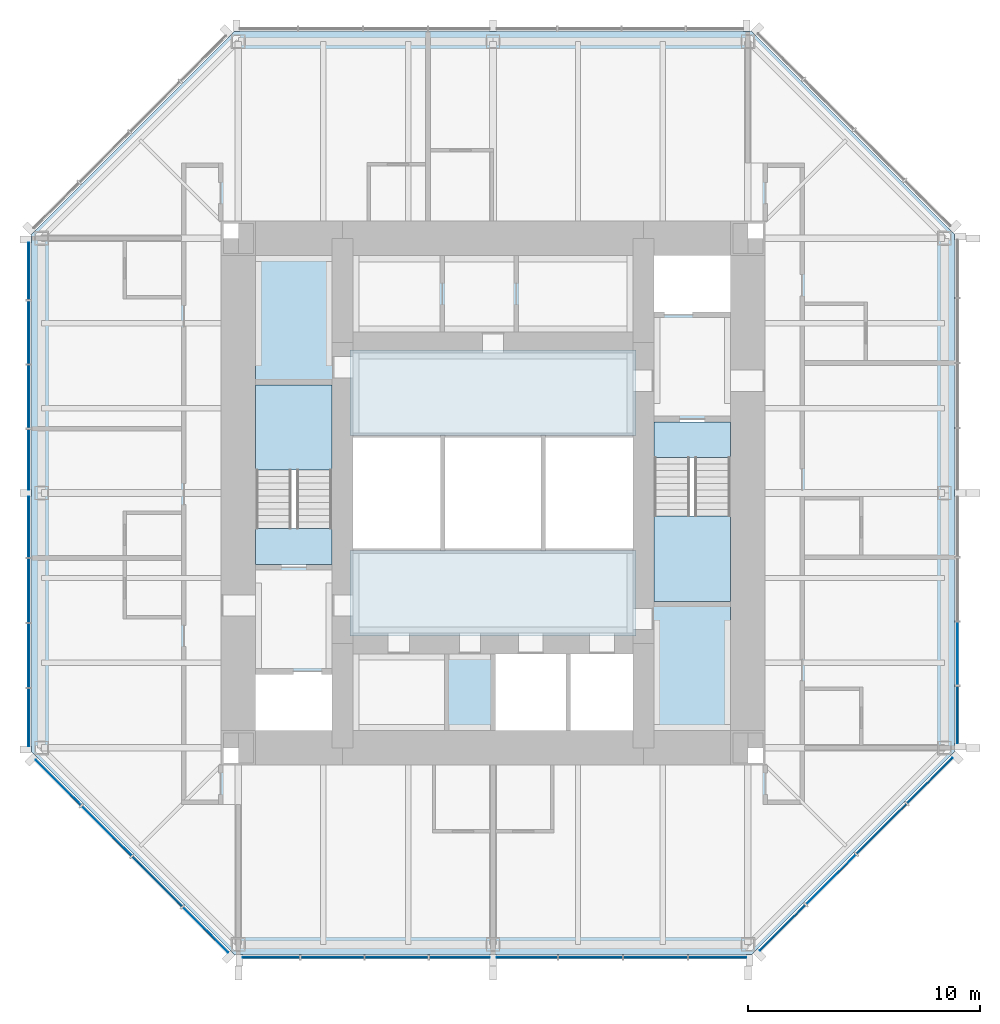
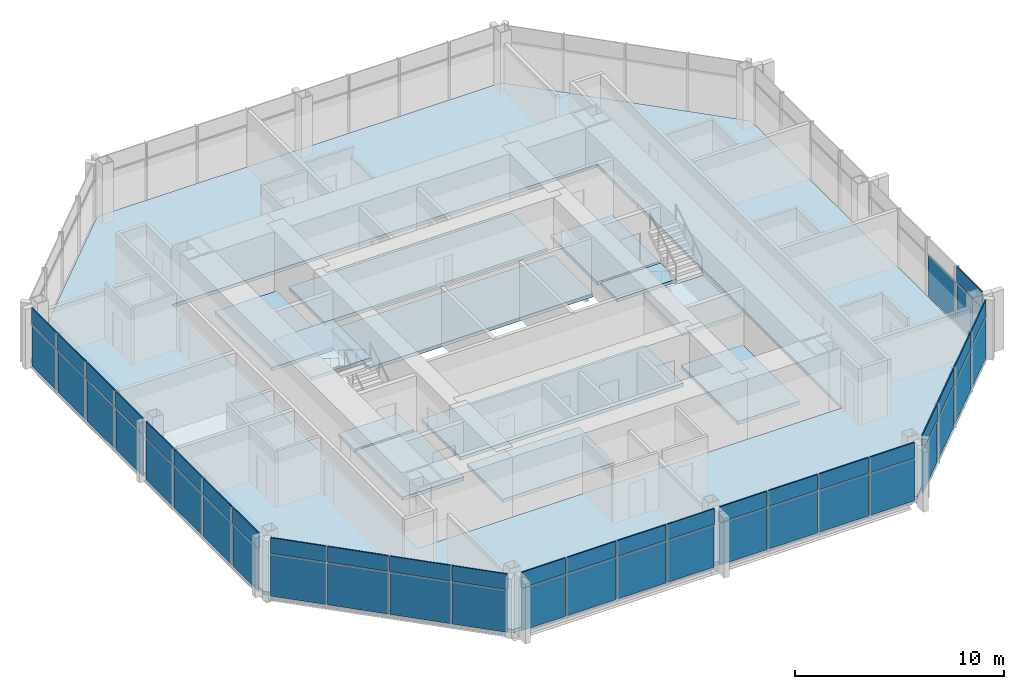
# One storey, part 6 of 11: 51 plates, 13 slabs, 7 elements without a shape of their own.
"""IFC4 building model written with IfcOpenShell, lengths in metres."""

import ifcopenshell
import ifcopenshell.guid

model = None  # the IFC model being written
_history = None  # IfcOwnerHistory: only IFC2X3 demands one
_inside = {}  # id of a spatial element -> (the spatial element, [elements in it])
_under = {}  # id of a project, library or spatial element -> (it, [spatial elements below it])
_declared = {}  # id of a project -> (the project, [libraries it declares])
_typed = {}  # id of a type object -> (the type object, [elements of that type])
_made_of = {}  # id of a material, layer set ... -> (it, [elements and type objects made of it])


def new_model(schema):
    """Start an empty IFC model of exactly this schema.

    Asked for "IFC4X3", IfcOpenShell would pick the latest addendum, in which some entities
    have other attributes; the version numbers below select the first issue.
    IFC2X3 requires an IfcOwnerHistory on every rooted entity: one is made here for all.
    """
    global model, _history
    if schema == "IFC4X3":
        model = ifcopenshell.file(schema_version=(4, 3, 0, 0))
    else:
        model = ifcopenshell.file(schema=schema)
    _inside.clear()
    _under.clear()
    _declared.clear()
    _typed.clear()
    _made_of.clear()
    _history = None
    if model.schema == "IFC2X3":
        org = make("IfcOrganization", Name="unknown")
        user = make(
            "IfcPersonAndOrganization",
            ThePerson=make("IfcPerson", FamilyName="unknown"),
            TheOrganization=org,
        )
        app = make(
            "IfcApplication",
            ApplicationDeveloper=org,
            Version="unknown",
            ApplicationFullName="unknown",
            ApplicationIdentifier="unknown",
        )
        _history = make(
            "IfcOwnerHistory",
            OwningUser=user,
            OwningApplication=app,
            ChangeAction="ADDED",
            CreationDate=0,
        )
    return model


def make(cls, **values):
    """One entity of the class cls with the attributes given. An attribute that is None is left unset."""
    return model.create_entity(
        cls, **{name: value for name, value in values.items() if value is not None}
    )


def rooted(cls, **values):
    """An entity with a GlobalId (a new one), such as an element, a storey or a relation."""
    return make(cls, GlobalId=ifcopenshell.guid.new(), OwnerHistory=_history, **values)


def si_unit(unit_type, name, prefix=None):
    """IfcSIUnit, for example si_unit("LENGTHUNIT", "METRE", prefix="MILLI")."""
    return make("IfcSIUnit", UnitType=unit_type, Prefix=prefix, Name=name)


def assignment(units):
    """IfcUnitAssignment: the units of a project."""
    return None if units is None else make("IfcUnitAssignment", Units=units)


def point(xyz):
    """IfcCartesianPoint."""
    return None if xyz is None else make("IfcCartesianPoint", Coordinates=xyz)


def direction(xyz):
    """IfcDirection."""
    return None if xyz is None else make("IfcDirection", DirectionRatios=xyz)


def frame(location, z_axis=None, x_axis=None):
    """IfcAxis2Placement3D, a coordinate frame: its origin and axes. An axis left out is left unset."""
    return make(
        "IfcAxis2Placement3D",
        Location=point(location),
        Axis=direction(z_axis),
        RefDirection=direction(x_axis),
    )


def frame_2d(location, x_axis=None):
    """IfcAxis2Placement2D, a coordinate frame in the plane: its origin and x axis."""
    return make(
        "IfcAxis2Placement2D", Location=point(location), RefDirection=direction(x_axis)
    )


def origin():
    """The frame at (0, 0, 0) with its axes left unset."""
    return frame((0.0, 0.0, 0.0))


def origin_2d():
    """The frame at (0, 0) in the plane with its x axis left unset."""
    return frame_2d((0.0, 0.0))


def place(relative_to, where):
    """IfcLocalPlacement: puts the frame where relative to a parent placement (None: the world)."""
    return make(
        "IfcLocalPlacement", PlacementRelTo=relative_to, RelativePlacement=where
    )


def context(
    kind, dimensions, precision=None, world=None, true_north=None, identifier=None
):
    """IfcGeometricRepresentationContext, for example the 3D "Model" context."""
    return make(
        "IfcGeometricRepresentationContext",
        ContextIdentifier=identifier,
        ContextType=kind,
        CoordinateSpaceDimension=dimensions,
        Precision=precision,
        WorldCoordinateSystem=world,
        TrueNorth=true_north,
    )


def subcontext(parent, identifier, kind, view, scale=None):
    """IfcGeometricRepresentationSubContext, for example "Body" below "Model"."""
    return make(
        "IfcGeometricRepresentationSubContext",
        ContextIdentifier=identifier,
        ContextType=kind,
        ParentContext=parent,
        TargetScale=scale,
        TargetView=view,
    )


def project(units=None, contexts=None):
    """IfcProject with its units and contexts."""
    return rooted(
        "IfcProject",
        Name="project",
        RepresentationContexts=contexts,
        UnitsInContext=assignment(units),
    )


def spatial(cls, under=None, at=None, **own):
    """A site, building, storey or space (cls), placed at a placement, below another one or the project."""
    s = rooted(cls, ObjectPlacement=at, **own)
    if under is not None:
        _under.setdefault(under.id(), (under, []))[1].append(s)
    return s


def polyline(points):
    """IfcPolyline through the points."""
    return make("IfcPolyline", Points=[point(p) for p in points])


def profile(cls, at=None, kind="AREA", **sizes):
    """A parametric profile (cls). Its sizes go by their IFC names, for example OverallWidth=200.0."""
    return make(cls, ProfileType=kind, Position=at, **sizes)


def rectangle(**sizes):
    """IfcRectangleProfileDef."""
    return profile("IfcRectangleProfileDef", **sizes)


def outline(outer, holes=None, kind="AREA"):
    """IfcArbitraryClosedProfileDef: a profile drawn as a closed curve; with holes, ...WithVoids."""
    if holes is None:
        return make("IfcArbitraryClosedProfileDef", ProfileType=kind, OuterCurve=outer)
    return make(
        "IfcArbitraryProfileDefWithVoids",
        ProfileType=kind,
        OuterCurve=outer,
        InnerCurves=holes,
    )


def extrude(swept, where, along, depth):
    """IfcExtrudedAreaSolid: the profile swept, set in the frame where, extruded along a direction by depth."""
    return make(
        "IfcExtrudedAreaSolid",
        SweptArea=swept,
        Position=where,
        ExtrudedDirection=direction(along),
        Depth=depth,
    )


def shape(context_of_items, identifier, shape_type, items):
    """IfcShapeRepresentation: the items that make up one representation, for example the "Body"."""
    return make(
        "IfcShapeRepresentation",
        ContextOfItems=context_of_items,
        RepresentationIdentifier=identifier,
        RepresentationType=shape_type,
        Items=items,
    )


def material(Name=None, Category=None):
    """IfcMaterial."""
    return make("IfcMaterial", Name=Name, Category=Category)


def layer(
    of_material, thickness, ventilated=None, Name=None, Category=None, Priority=None
):
    """IfcMaterialLayer: one layer of a wall or slab, of a material (None: an air gap)."""
    return make(
        "IfcMaterialLayer",
        Material=of_material,
        LayerThickness=thickness,
        IsVentilated=ventilated,
        Name=Name,
        Category=Category,
        Priority=Priority,
    )


def layer_set(layers, Name=None):
    """IfcMaterialLayerSet."""
    return make("IfcMaterialLayerSet", MaterialLayers=layers, LayerSetName=Name)


def made_of(thing, what):
    """Note that an element or type object is made of a material, layer set ...; save() writes the relation."""
    if what is not None:
        _made_of.setdefault(what.id(), (what, []))[1].append(thing)
    return thing


def type_object(cls, material=None, **own):
    """A type object (cls), such as IfcWallType, which elements share."""
    return made_of(rooted(cls, **own), material)


def element(
    cls,
    number,
    at=None,
    inside=None,
    cuts=None,
    type_object=None,
    material=None,
    context=None,
    identifier="Body",
    shape_type=None,
    held_by="IfcProductDefinitionShape",
    body=None,
    shapes=None,
    **own,
):
    """One element of the class cls, such as IfcWall. Its Tag is "e" and its number.

    at: its placement. inside: the storey or other place that contains it. cuts: it is an
    opening in that element (IfcRelVoidsElement). A single representation is given by context,
    identifier, shape_type and body (its items); several are given by shapes. held_by: the class
    of the entity that holds the representations. save() writes the other relations.
    """
    e = rooted(cls, Tag="e%d" % number, ObjectPlacement=at, **own)
    if body is not None:
        shapes = [shape(context, identifier, shape_type, body)]
    if shapes is not None:
        e.Representation = make(held_by, Representations=shapes)
    if inside is not None:
        _inside.setdefault(inside.id(), (inside, []))[1].append(e)
    if cuts is not None:
        rooted(
            "IfcRelVoidsElement", RelatingBuildingElement=cuts, RelatedOpeningElement=e
        )
    if type_object is not None:
        _typed.setdefault(type_object.id(), (type_object, []))[1].append(e)
    return made_of(e, material)


def aggregate(whole, parts):
    """IfcRelAggregates: a whole, such as a stair, and the parts it consists of."""
    return rooted("IfcRelAggregates", RelatingObject=whole, RelatedObjects=parts)


def save(model, path):
    """Write the relations noted so far, then the file.

    IfcRelAggregates (storeys below a building ...), IfcRelContainedInSpatialStructure (elements
    in a storey), IfcRelDefinesByType, IfcRelAssociatesMaterial and IfcRelDeclares: one each for
    every whole, place, type object, material and project.
    """
    for whole, parts in _under.values():
        aggregate(whole, parts)
    for where, things in _inside.values():
        rooted(
            "IfcRelContainedInSpatialStructure",
            RelatedElements=things,
            RelatingStructure=where,
        )
    for kind, things in _typed.values():
        rooted("IfcRelDefinesByType", RelatedObjects=things, RelatingType=kind)
    for what, things in _made_of.values():
        rooted("IfcRelAssociatesMaterial", RelatedObjects=things, RelatingMaterial=what)
    for by, libraries in _declared.values():
        rooted("IfcRelDeclares", RelatingContext=by, RelatedDefinitions=libraries)
    model.write(path)


model = new_model("IFC4")

# Units and contexts
model_context = context("Model", 3, precision=1e-05, world=origin(), true_north=direction((0.0, 1.0)))
body_context = subcontext(model_context, "Body", "Model", "MODEL_VIEW")
ifc_project = project(units=[si_unit("LENGTHUNIT", "METRE"), si_unit("AREAUNIT", "SQUARE_METRE"), si_unit("VOLUMEUNIT", "CUBIC_METRE"), si_unit("PLANEANGLEUNIT", "RADIAN"), si_unit("MASSUNIT", "GRAM", prefix="KILO")], contexts=[model_context])

# Site, building, storey
site_placement = place(None, origin())
site = spatial("IfcSite", under=ifc_project, at=site_placement, CompositionType="ELEMENT")
building_placement = place(site_placement, origin())
building = spatial("IfcBuilding", under=site, at=building_placement, Name="Trevanion Tower", CompositionType="ELEMENT")
storey_placement = place(building_placement, frame((0.0, 0.0, 236.199951171875)))
storey = spatial("IfcBuildingStorey", under=building, at=storey_placement, Name="L57", CompositionType="ELEMENT", Elevation=236.199951171875)

# Curtain wall, plate
ifc_material_1 = material(Name="Aluminium and glass", Category="aluminium")
curtain_wall_type = type_object("IfcCurtainWallType", Name="CW3 curtain wall", PredefinedType="USERDEFINED", material=ifc_material_1)
curtain_wall_1_placement = place(storey_placement, origin())
curtain_wall_1 = element("IfcCurtainWall", 1, at=curtain_wall_1_placement, inside=storey, type_object=curtain_wall_type, Name="CW3 L57 0", ObjectType="UNITISED CURTAIN WALL", PredefinedType="USERDEFINED")
ifc_material_2 = material(Name="Aluminium spandrel panel", Category="aluminium")
ifc_layer_1 = layer(ifc_material_2, 0.06005859375)
ifc_layer_set_1 = layer_set([ifc_layer_1], Name="CW3 spandrel panel")
plate_type_1 = type_object("IfcPlateType", Name="CW3 spandrel panel", PredefinedType="CURTAIN_PANEL", material=ifc_layer_set_1)
plate_1_placement = place(storey_placement, frame((20.050048828125, -9.579345703125, 2.3974609375), z_axis=(0.0, 0.0, 1.0), x_axis=(0.0, 1.0, 0.0)))
plate_1 = element("IfcPlate", 2, at=plate_1_placement, type_object=plate_type_1, Name="CW3 panel 1.2", PredefinedType="CURTAIN_PANEL", context=body_context, shape_type="SweptSolid", body=[
    extrude(rectangle(XDim=2.43701171875, YDim=0.06005859375, at=origin_2d()), origin(), (0.0, 0.0, 1.0), 0.91259765625),
])

# Curtain wall, plates
curtain_wall_2_placement = place(storey_placement, origin())
curtain_wall_2 = element("IfcCurtainWall", 3, at=curtain_wall_2_placement, inside=storey, type_object=curtain_wall_type, Name="CW3 L57 4", ObjectType="UNITISED CURTAIN WALL", PredefinedType="USERDEFINED")
plate_2_placement = place(storey_placement, frame((-20.050048828125, 9.579345703125, 2.3974609375), z_axis=(0.0, 0.0, 1.0), x_axis=(0.0, -1.0, 0.0)))
plate_2 = element("IfcPlate", 4, at=plate_2_placement, type_object=plate_type_1, Name="CW3 panel 1.2", PredefinedType="CURTAIN_PANEL", context=body_context, shape_type="SweptSolid", body=[
    extrude(rectangle(XDim=2.43701171875, YDim=0.06005859375, at=origin_2d()), origin(), (0.0, 0.0, 1.0), 0.91259765625),
])
plate_3_placement = place(storey_placement, frame((-20.050048828125, 6.93603515625, 2.3974609375), z_axis=(0.0, 0.0, 1.0), x_axis=(0.0, -1.0, 0.0)))
plate_3 = element("IfcPlate", 5, at=plate_3_placement, type_object=plate_type_1, Name="CW3 panel 2.2", PredefinedType="CURTAIN_PANEL", context=body_context, shape_type="SweptSolid", body=[
    extrude(rectangle(XDim=2.699462890625, YDim=0.06005859375, at=origin_2d()), origin(), (0.0, 0.0, 1.0), 0.91259765625),
])
plate_4_placement = place(storey_placement, frame((-20.050048828125, 4.16162109375, 2.3974609375), z_axis=(0.0, 0.0, 1.0), x_axis=(0.0, -1.0, 0.0)))
plate_4 = element("IfcPlate", 6, at=plate_4_placement, type_object=plate_type_1, Name="CW3 panel 3.2", PredefinedType="CURTAIN_PANEL", context=body_context, shape_type="SweptSolid", body=[
    extrude(rectangle(XDim=2.699462890625, YDim=0.06005859375, at=origin_2d()), origin(), (0.0, 0.0, 1.0), 0.91259765625),
])
plate_5_placement = place(storey_placement, frame((-20.050048828125, 1.443603515625, 2.3974609375), z_axis=(0.0, 0.0, 1.0), x_axis=(0.0, -1.0, 0.0)))
plate_5 = element("IfcPlate", 7, at=plate_5_placement, type_object=plate_type_1, Name="CW3 panel 4.2", PredefinedType="CURTAIN_PANEL", context=body_context, shape_type="SweptSolid", body=[
    extrude(rectangle(XDim=2.5869140625, YDim=0.06005859375, at=origin_2d()), origin(), (0.0, 0.0, 1.0), 0.91259765625),
])
plate_6_placement = place(storey_placement, frame((-20.050048828125, -1.459716796875, 2.3974609375), z_axis=(0.0, 0.0, 1.0), x_axis=(0.0, -1.0, 0.0)))
plate_6 = element("IfcPlate", 8, at=plate_6_placement, type_object=plate_type_1, Name="CW3 panel 5.2", PredefinedType="CURTAIN_PANEL", context=body_context, shape_type="SweptSolid", body=[
    extrude(rectangle(XDim=2.619384765625, YDim=0.06005859375, at=origin_2d()), origin(), (0.0, 0.0, 1.0), 0.91259765625),
])
plate_7_placement = place(storey_placement, frame((-20.050048828125, -4.21044921875, 2.3974609375), z_axis=(0.0, 0.0, 1.0), x_axis=(0.0, -1.0, 0.0)))
plate_7 = element("IfcPlate", 9, at=plate_7_placement, type_object=plate_type_1, Name="CW3 panel 6.2", PredefinedType="CURTAIN_PANEL", context=body_context, shape_type="SweptSolid", body=[
    extrude(rectangle(XDim=2.73193359375, YDim=0.06005859375, at=origin_2d()), origin(), (0.0, 0.0, 1.0), 0.91259765625),
])
plate_8_placement = place(storey_placement, frame((-20.050048828125, -7.017333984375, 2.3974609375), z_axis=(0.0, 0.0, 1.0), x_axis=(0.0, -1.0, 0.0)))
plate_8 = element("IfcPlate", 10, at=plate_8_placement, type_object=plate_type_1, Name="CW3 panel 7.2", PredefinedType="CURTAIN_PANEL", context=body_context, shape_type="SweptSolid", body=[
    extrude(rectangle(XDim=2.73193359375, YDim=0.06005859375, at=origin_2d()), origin(), (0.0, 0.0, 1.0), 0.91259765625),
])
plate_9_placement = place(storey_placement, frame((-20.050048828125, -9.693115234375, 2.3974609375), z_axis=(0.0, 0.0, 1.0), x_axis=(0.0, -1.0, 0.0)))
plate_9 = element("IfcPlate", 11, at=plate_9_placement, type_object=plate_type_1, Name="CW3 panel 8.2", PredefinedType="CURTAIN_PANEL", context=body_context, shape_type="SweptSolid", body=[
    extrude(rectangle(XDim=2.469482421875, YDim=0.06005859375, at=origin_2d()), origin(), (0.0, 0.0, 1.0), 0.91259765625),
])

curtain_wall_3_placement = place(storey_placement, origin())
curtain_wall_3 = element("IfcCurtainWall", 12, at=curtain_wall_3_placement, inside=storey, type_object=curtain_wall_type, Name="CW3 L57 5", ObjectType="UNITISED CURTAIN WALL", PredefinedType="USERDEFINED")
plate_10_placement = place(storey_placement, frame((-18.77392578125, -12.50390625, 2.3974609375), z_axis=(0.0, 0.0, 1.0), x_axis=(0.707106781187, -0.707106781187, 0.0)))
plate_10 = element("IfcPlate", 13, at=plate_10_placement, type_object=plate_type_1, Name="CW3 panel 1.2", PredefinedType="CURTAIN_PANEL", context=body_context, shape_type="SweptSolid", body=[
    extrude(rectangle(XDim=2.7490234375, YDim=0.06005859375, at=origin_2d()), origin(), (0.0, 0.0, 1.0), 0.91259765625),
])
plate_11_placement = place(storey_placement, frame((-16.68408203125, -14.593505859375, 2.3974609375), z_axis=(0.0, 0.0, 1.0), x_axis=(0.707106781187, -0.707106781187, 0.0)))
plate_11 = element("IfcPlate", 14, at=plate_11_placement, type_object=plate_type_1, Name="CW3 panel 2.2", PredefinedType="CURTAIN_PANEL", context=body_context, shape_type="SweptSolid", body=[
    extrude(rectangle(XDim=3.01171875, YDim=0.06005859375, at=origin_2d()), origin(), (0.0, 0.0, 1.0), 0.91259765625),
])
plate_12_placement = place(storey_placement, frame((-14.501708984375, -16.776123046875, 2.3974609375), z_axis=(0.0, 0.0, 1.0), x_axis=(0.707106781187, -0.707106781187, 0.0)))
plate_12 = element("IfcPlate", 15, at=plate_12_placement, type_object=plate_type_1, Name="CW3 panel 3.2", PredefinedType="CURTAIN_PANEL", context=body_context, shape_type="SweptSolid", body=[
    extrude(rectangle(XDim=3.01171875, YDim=0.06005859375, at=origin_2d()), origin(), (0.0, 0.0, 1.0), 0.91259765625),
])
plate_13_placement = place(storey_placement, frame((-12.411865234375, -18.865966796875, 2.3974609375), z_axis=(0.0, 0.0, 1.0), x_axis=(0.707106781187, -0.707106781187, 0.0)))
plate_13 = element("IfcPlate", 16, at=plate_13_placement, type_object=plate_type_1, Name="CW3 panel 4.2", PredefinedType="CURTAIN_PANEL", context=body_context, shape_type="SweptSolid", body=[
    extrude(rectangle(XDim=2.7490234375, YDim=0.06005859375, at=origin_2d()), origin(), (0.0, 0.0, 1.0), 0.91259765625),
])

curtain_wall_4_placement = place(storey_placement, origin())
curtain_wall_4 = element("IfcCurtainWall", 17, at=curtain_wall_4_placement, inside=storey, type_object=curtain_wall_type, Name="CW3 L57 6", ObjectType="UNITISED CURTAIN WALL", PredefinedType="USERDEFINED")
plate_14_placement = place(storey_placement, frame((-9.579345703125, -20.050048828125, 2.3974609375), z_axis=(0.0, 0.0, 1.0), x_axis=(1.0, 0.0, 0.0)))
plate_14 = element("IfcPlate", 18, at=plate_14_placement, type_object=plate_type_1, Name="CW3 panel 1.2", PredefinedType="CURTAIN_PANEL", context=body_context, shape_type="SweptSolid", body=[
    extrude(rectangle(XDim=2.43701171875, YDim=0.06005859375, at=origin_2d()), origin(), (0.0, 0.0, 1.0), 0.91259765625),
])
plate_15_placement = place(storey_placement, frame((-6.93603515625, -20.050048828125, 2.3974609375), z_axis=(0.0, 0.0, 1.0), x_axis=(1.0, 0.0, 0.0)))
plate_15 = element("IfcPlate", 19, at=plate_15_placement, type_object=plate_type_1, Name="CW3 panel 2.2", PredefinedType="CURTAIN_PANEL", context=body_context, shape_type="SweptSolid", body=[
    extrude(rectangle(XDim=2.699462890625, YDim=0.06005859375, at=origin_2d()), origin(), (0.0, 0.0, 1.0), 0.91259765625),
])
plate_16_placement = place(storey_placement, frame((-4.16162109375, -20.050048828125, 2.3974609375), z_axis=(0.0, 0.0, 1.0), x_axis=(1.0, 0.0, 0.0)))
plate_16 = element("IfcPlate", 20, at=plate_16_placement, type_object=plate_type_1, Name="CW3 panel 3.2", PredefinedType="CURTAIN_PANEL", context=body_context, shape_type="SweptSolid", body=[
    extrude(rectangle(XDim=2.699462890625, YDim=0.06005859375, at=origin_2d()), origin(), (0.0, 0.0, 1.0), 0.91259765625),
])
plate_17_placement = place(storey_placement, frame((-1.443603515625, -20.050048828125, 2.3974609375), z_axis=(0.0, 0.0, 1.0), x_axis=(1.0, 0.0, 0.0)))
plate_17 = element("IfcPlate", 21, at=plate_17_placement, type_object=plate_type_1, Name="CW3 panel 4.2", PredefinedType="CURTAIN_PANEL", context=body_context, shape_type="SweptSolid", body=[
    extrude(rectangle(XDim=2.5869140625, YDim=0.06005859375, at=origin_2d()), origin(), (0.0, 0.0, 1.0), 0.91259765625),
])
plate_18_placement = place(storey_placement, frame((1.459716796875, -20.050048828125, 2.3974609375), z_axis=(0.0, 0.0, 1.0), x_axis=(1.0, 0.0, 0.0)))
plate_18 = element("IfcPlate", 22, at=plate_18_placement, type_object=plate_type_1, Name="CW3 panel 5.2", PredefinedType="CURTAIN_PANEL", context=body_context, shape_type="SweptSolid", body=[
    extrude(rectangle(XDim=2.619384765625, YDim=0.06005859375, at=origin_2d()), origin(), (0.0, 0.0, 1.0), 0.91259765625),
])
plate_19_placement = place(storey_placement, frame((4.21044921875, -20.050048828125, 2.3974609375), z_axis=(0.0, 0.0, 1.0), x_axis=(1.0, 0.0, 0.0)))
plate_19 = element("IfcPlate", 23, at=plate_19_placement, type_object=plate_type_1, Name="CW3 panel 6.2", PredefinedType="CURTAIN_PANEL", context=body_context, shape_type="SweptSolid", body=[
    extrude(rectangle(XDim=2.73193359375, YDim=0.06005859375, at=origin_2d()), origin(), (0.0, 0.0, 1.0), 0.91259765625),
])
plate_20_placement = place(storey_placement, frame((7.017333984375, -20.050048828125, 2.3974609375), z_axis=(0.0, 0.0, 1.0), x_axis=(1.0, 0.0, 0.0)))
plate_20 = element("IfcPlate", 24, at=plate_20_placement, type_object=plate_type_1, Name="CW3 panel 7.2", PredefinedType="CURTAIN_PANEL", context=body_context, shape_type="SweptSolid", body=[
    extrude(rectangle(XDim=2.73193359375, YDim=0.06005859375, at=origin_2d()), origin(), (0.0, 0.0, 1.0), 0.91259765625),
])
plate_21_placement = place(storey_placement, frame((9.693115234375, -20.050048828125, 2.3974609375), z_axis=(0.0, 0.0, 1.0), x_axis=(1.0, 0.0, 0.0)))
plate_21 = element("IfcPlate", 25, at=plate_21_placement, type_object=plate_type_1, Name="CW3 panel 8.2", PredefinedType="CURTAIN_PANEL", context=body_context, shape_type="SweptSolid", body=[
    extrude(rectangle(XDim=2.469482421875, YDim=0.06005859375, at=origin_2d()), origin(), (0.0, 0.0, 1.0), 0.91259765625),
])

curtain_wall_5_placement = place(storey_placement, origin())
curtain_wall_5 = element("IfcCurtainWall", 26, at=curtain_wall_5_placement, inside=storey, type_object=curtain_wall_type, Name="CW3 L57 7", ObjectType="UNITISED CURTAIN WALL", PredefinedType="USERDEFINED")
plate_22_placement = place(storey_placement, frame((12.50390625, -18.77392578125, 2.3974609375), z_axis=(0.0, 0.0, 1.0), x_axis=(0.707106781187, 0.707106781187, 0.0)))
plate_22 = element("IfcPlate", 27, at=plate_22_placement, type_object=plate_type_1, Name="CW3 panel 1.2", PredefinedType="CURTAIN_PANEL", context=body_context, shape_type="SweptSolid", body=[
    extrude(rectangle(XDim=2.7490234375, YDim=0.06005859375, at=origin_2d()), origin(), (0.0, 0.0, 1.0), 0.91259765625),
])
plate_23_placement = place(storey_placement, frame((14.593505859375, -16.68408203125, 2.3974609375), z_axis=(0.0, 0.0, 1.0), x_axis=(0.707106781187, 0.707106781187, 0.0)))
plate_23 = element("IfcPlate", 28, at=plate_23_placement, type_object=plate_type_1, Name="CW3 panel 2.2", PredefinedType="CURTAIN_PANEL", context=body_context, shape_type="SweptSolid", body=[
    extrude(rectangle(XDim=3.01171875, YDim=0.06005859375, at=origin_2d()), origin(), (0.0, 0.0, 1.0), 0.91259765625),
])
plate_24_placement = place(storey_placement, frame((16.776123046875, -14.501708984375, 2.3974609375), z_axis=(0.0, 0.0, 1.0), x_axis=(0.707106781187, 0.707106781187, 0.0)))
plate_24 = element("IfcPlate", 29, at=plate_24_placement, type_object=plate_type_1, Name="CW3 panel 3.2", PredefinedType="CURTAIN_PANEL", context=body_context, shape_type="SweptSolid", body=[
    extrude(rectangle(XDim=3.01171875, YDim=0.06005859375, at=origin_2d()), origin(), (0.0, 0.0, 1.0), 0.91259765625),
])
plate_25_placement = place(storey_placement, frame((18.865966796875, -12.411865234375, 2.3974609375), z_axis=(0.0, 0.0, 1.0), x_axis=(0.707106781187, 0.707106781187, 0.0)))
plate_25 = element("IfcPlate", 30, at=plate_25_placement, type_object=plate_type_1, Name="CW3 panel 4.2", PredefinedType="CURTAIN_PANEL", context=body_context, shape_type="SweptSolid", body=[
    extrude(rectangle(XDim=2.7490234375, YDim=0.06005859375, at=origin_2d()), origin(), (0.0, 0.0, 1.0), 0.91259765625),
])

# Plate
ifc_material_3 = material(Name="Insulating glass unit", Category="glass")
ifc_layer_2 = layer(ifc_material_3, 0.028076171875)
ifc_layer_set_2 = layer_set([ifc_layer_2], Name="CW3 vision panel")
plate_type_2 = type_object("IfcPlateType", Name="CW3 vision panel", PredefinedType="CURTAIN_PANEL", material=ifc_layer_set_2)
plate_26_placement = place(storey_placement, frame((20.050048828125, -9.579345703125, -0.114990234375), z_axis=(0.0, 0.0, 1.0), x_axis=(0.0, 1.0, 0.0)))
plate_26 = element("IfcPlate", 31, at=plate_26_placement, type_object=plate_type_2, Name="CW3 panel 1.1", PredefinedType="CURTAIN_PANEL", context=body_context, shape_type="SweptSolid", body=[
    extrude(rectangle(XDim=2.43701171875, YDim=0.028076171875, at=origin_2d()), origin(), (0.0, 0.0, 1.0), 2.4375),
])

plate_27_placement = place(storey_placement, frame((20.050048828125, -6.93603515625, -0.114990234375), z_axis=(0.0, 0.0, 1.0), x_axis=(0.0, 1.0, 0.0)))
plate_27 = element("IfcPlate", 32, at=plate_27_placement, type_object=plate_type_2, Name="CW3 panel 2.1", PredefinedType="CURTAIN_PANEL", context=body_context, shape_type="SweptSolid", body=[
    extrude(rectangle(XDim=2.699462890625, YDim=0.028076171875, at=origin_2d()), origin(), (0.0, 0.0, 1.0), 2.4375),
])

aggregate(curtain_wall_1, [plate_26, plate_1, plate_27])

plate_28_placement = place(storey_placement, frame((-20.050048828125, 9.579345703125, -0.114990234375), z_axis=(0.0, 0.0, 1.0), x_axis=(0.0, -1.0, 0.0)))
plate_28 = element("IfcPlate", 33, at=plate_28_placement, type_object=plate_type_2, Name="CW3 panel 1.1", PredefinedType="CURTAIN_PANEL", context=body_context, shape_type="SweptSolid", body=[
    extrude(rectangle(XDim=2.43701171875, YDim=0.028076171875, at=origin_2d()), origin(), (0.0, 0.0, 1.0), 2.4375),
])

plate_29_placement = place(storey_placement, frame((-20.050048828125, 6.93603515625, -0.114990234375), z_axis=(0.0, 0.0, 1.0), x_axis=(0.0, -1.0, 0.0)))
plate_29 = element("IfcPlate", 34, at=plate_29_placement, type_object=plate_type_2, Name="CW3 panel 2.1", PredefinedType="CURTAIN_PANEL", context=body_context, shape_type="SweptSolid", body=[
    extrude(rectangle(XDim=2.699462890625, YDim=0.028076171875, at=origin_2d()), origin(), (0.0, 0.0, 1.0), 2.4375),
])

plate_30_placement = place(storey_placement, frame((-20.050048828125, 4.16162109375, -0.114990234375), z_axis=(0.0, 0.0, 1.0), x_axis=(0.0, -1.0, 0.0)))
plate_30 = element("IfcPlate", 35, at=plate_30_placement, type_object=plate_type_2, Name="CW3 panel 3.1", PredefinedType="CURTAIN_PANEL", context=body_context, shape_type="SweptSolid", body=[
    extrude(rectangle(XDim=2.699462890625, YDim=0.028076171875, at=origin_2d()), origin(), (0.0, 0.0, 1.0), 2.4375),
])

plate_31_placement = place(storey_placement, frame((-20.050048828125, 1.443603515625, -0.114990234375), z_axis=(0.0, 0.0, 1.0), x_axis=(0.0, -1.0, 0.0)))
plate_31 = element("IfcPlate", 36, at=plate_31_placement, type_object=plate_type_2, Name="CW3 panel 4.1", PredefinedType="CURTAIN_PANEL", context=body_context, shape_type="SweptSolid", body=[
    extrude(rectangle(XDim=2.5869140625, YDim=0.028076171875, at=origin_2d()), origin(), (0.0, 0.0, 1.0), 2.4375),
])

plate_32_placement = place(storey_placement, frame((-20.050048828125, -1.459716796875, -0.114990234375), z_axis=(0.0, 0.0, 1.0), x_axis=(0.0, -1.0, 0.0)))
plate_32 = element("IfcPlate", 37, at=plate_32_placement, type_object=plate_type_2, Name="CW3 panel 5.1", PredefinedType="CURTAIN_PANEL", context=body_context, shape_type="SweptSolid", body=[
    extrude(rectangle(XDim=2.619384765625, YDim=0.028076171875, at=origin_2d()), origin(), (0.0, 0.0, 1.0), 2.4375),
])

plate_33_placement = place(storey_placement, frame((-20.050048828125, -4.21044921875, -0.114990234375), z_axis=(0.0, 0.0, 1.0), x_axis=(0.0, -1.0, 0.0)))
plate_33 = element("IfcPlate", 38, at=plate_33_placement, type_object=plate_type_2, Name="CW3 panel 6.1", PredefinedType="CURTAIN_PANEL", context=body_context, shape_type="SweptSolid", body=[
    extrude(rectangle(XDim=2.73193359375, YDim=0.028076171875, at=origin_2d()), origin(), (0.0, 0.0, 1.0), 2.4375),
])

plate_34_placement = place(storey_placement, frame((-20.050048828125, -7.017333984375, -0.114990234375), z_axis=(0.0, 0.0, 1.0), x_axis=(0.0, -1.0, 0.0)))
plate_34 = element("IfcPlate", 39, at=plate_34_placement, type_object=plate_type_2, Name="CW3 panel 7.1", PredefinedType="CURTAIN_PANEL", context=body_context, shape_type="SweptSolid", body=[
    extrude(rectangle(XDim=2.73193359375, YDim=0.028076171875, at=origin_2d()), origin(), (0.0, 0.0, 1.0), 2.4375),
])

plate_35_placement = place(storey_placement, frame((-20.050048828125, -9.693115234375, -0.114990234375), z_axis=(0.0, 0.0, 1.0), x_axis=(0.0, -1.0, 0.0)))
plate_35 = element("IfcPlate", 40, at=plate_35_placement, type_object=plate_type_2, Name="CW3 panel 8.1", PredefinedType="CURTAIN_PANEL", context=body_context, shape_type="SweptSolid", body=[
    extrude(rectangle(XDim=2.469482421875, YDim=0.028076171875, at=origin_2d()), origin(), (0.0, 0.0, 1.0), 2.4375),
])

aggregate(curtain_wall_2, [plate_28, plate_2, plate_29, plate_3, plate_30, plate_4, plate_31, plate_5, plate_32, plate_6, plate_33, plate_7, plate_34, plate_8, plate_35, plate_9])

plate_36_placement = place(storey_placement, frame((-18.77392578125, -12.50390625, -0.114990234375), z_axis=(0.0, 0.0, 1.0), x_axis=(0.707106781187, -0.707106781187, 0.0)))
plate_36 = element("IfcPlate", 41, at=plate_36_placement, type_object=plate_type_2, Name="CW3 panel 1.1", PredefinedType="CURTAIN_PANEL", context=body_context, shape_type="SweptSolid", body=[
    extrude(rectangle(XDim=2.7490234375, YDim=0.028076171875, at=origin_2d()), origin(), (0.0, 0.0, 1.0), 2.4375),
])

plate_37_placement = place(storey_placement, frame((-16.68408203125, -14.593505859375, -0.114990234375), z_axis=(0.0, 0.0, 1.0), x_axis=(0.707106781187, -0.707106781187, 0.0)))
plate_37 = element("IfcPlate", 42, at=plate_37_placement, type_object=plate_type_2, Name="CW3 panel 2.1", PredefinedType="CURTAIN_PANEL", context=body_context, shape_type="SweptSolid", body=[
    extrude(rectangle(XDim=3.01171875, YDim=0.028076171875, at=origin_2d()), origin(), (0.0, 0.0, 1.0), 2.4375),
])

plate_38_placement = place(storey_placement, frame((-14.501708984375, -16.776123046875, -0.114990234375), z_axis=(0.0, 0.0, 1.0), x_axis=(0.707106781187, -0.707106781187, 0.0)))
plate_38 = element("IfcPlate", 43, at=plate_38_placement, type_object=plate_type_2, Name="CW3 panel 3.1", PredefinedType="CURTAIN_PANEL", context=body_context, shape_type="SweptSolid", body=[
    extrude(rectangle(XDim=3.01171875, YDim=0.028076171875, at=origin_2d()), origin(), (0.0, 0.0, 1.0), 2.4375),
])

plate_39_placement = place(storey_placement, frame((-12.411865234375, -18.865966796875, -0.114990234375), z_axis=(0.0, 0.0, 1.0), x_axis=(0.707106781187, -0.707106781187, 0.0)))
plate_39 = element("IfcPlate", 44, at=plate_39_placement, type_object=plate_type_2, Name="CW3 panel 4.1", PredefinedType="CURTAIN_PANEL", context=body_context, shape_type="SweptSolid", body=[
    extrude(rectangle(XDim=2.7490234375, YDim=0.028076171875, at=origin_2d()), origin(), (0.0, 0.0, 1.0), 2.4375),
])

aggregate(curtain_wall_3, [plate_36, plate_10, plate_37, plate_11, plate_38, plate_12, plate_39, plate_13])

plate_40_placement = place(storey_placement, frame((-9.579345703125, -20.050048828125, -0.114990234375), z_axis=(0.0, 0.0, 1.0), x_axis=(1.0, 0.0, 0.0)))
plate_40 = element("IfcPlate", 45, at=plate_40_placement, type_object=plate_type_2, Name="CW3 panel 1.1", PredefinedType="CURTAIN_PANEL", context=body_context, shape_type="SweptSolid", body=[
    extrude(rectangle(XDim=2.43701171875, YDim=0.028076171875, at=origin_2d()), origin(), (0.0, 0.0, 1.0), 2.4375),
])

plate_41_placement = place(storey_placement, frame((-6.93603515625, -20.050048828125, -0.114990234375), z_axis=(0.0, 0.0, 1.0), x_axis=(1.0, 0.0, 0.0)))
plate_41 = element("IfcPlate", 46, at=plate_41_placement, type_object=plate_type_2, Name="CW3 panel 2.1", PredefinedType="CURTAIN_PANEL", context=body_context, shape_type="SweptSolid", body=[
    extrude(rectangle(XDim=2.699462890625, YDim=0.028076171875, at=origin_2d()), origin(), (0.0, 0.0, 1.0), 2.4375),
])

plate_42_placement = place(storey_placement, frame((-4.16162109375, -20.050048828125, -0.114990234375), z_axis=(0.0, 0.0, 1.0), x_axis=(1.0, 0.0, 0.0)))
plate_42 = element("IfcPlate", 47, at=plate_42_placement, type_object=plate_type_2, Name="CW3 panel 3.1", PredefinedType="CURTAIN_PANEL", context=body_context, shape_type="SweptSolid", body=[
    extrude(rectangle(XDim=2.699462890625, YDim=0.028076171875, at=origin_2d()), origin(), (0.0, 0.0, 1.0), 2.4375),
])

plate_43_placement = place(storey_placement, frame((-1.443603515625, -20.050048828125, -0.114990234375), z_axis=(0.0, 0.0, 1.0), x_axis=(1.0, 0.0, 0.0)))
plate_43 = element("IfcPlate", 48, at=plate_43_placement, type_object=plate_type_2, Name="CW3 panel 4.1", PredefinedType="CURTAIN_PANEL", context=body_context, shape_type="SweptSolid", body=[
    extrude(rectangle(XDim=2.5869140625, YDim=0.028076171875, at=origin_2d()), origin(), (0.0, 0.0, 1.0), 2.4375),
])

plate_44_placement = place(storey_placement, frame((1.459716796875, -20.050048828125, -0.114990234375), z_axis=(0.0, 0.0, 1.0), x_axis=(1.0, 0.0, 0.0)))
plate_44 = element("IfcPlate", 49, at=plate_44_placement, type_object=plate_type_2, Name="CW3 panel 5.1", PredefinedType="CURTAIN_PANEL", context=body_context, shape_type="SweptSolid", body=[
    extrude(rectangle(XDim=2.619384765625, YDim=0.028076171875, at=origin_2d()), origin(), (0.0, 0.0, 1.0), 2.4375),
])

plate_45_placement = place(storey_placement, frame((4.21044921875, -20.050048828125, -0.114990234375), z_axis=(0.0, 0.0, 1.0), x_axis=(1.0, 0.0, 0.0)))
plate_45 = element("IfcPlate", 50, at=plate_45_placement, type_object=plate_type_2, Name="CW3 panel 6.1", PredefinedType="CURTAIN_PANEL", context=body_context, shape_type="SweptSolid", body=[
    extrude(rectangle(XDim=2.73193359375, YDim=0.028076171875, at=origin_2d()), origin(), (0.0, 0.0, 1.0), 2.4375),
])

plate_46_placement = place(storey_placement, frame((7.017333984375, -20.050048828125, -0.114990234375), z_axis=(0.0, 0.0, 1.0), x_axis=(1.0, 0.0, 0.0)))
plate_46 = element("IfcPlate", 51, at=plate_46_placement, type_object=plate_type_2, Name="CW3 panel 7.1", PredefinedType="CURTAIN_PANEL", context=body_context, shape_type="SweptSolid", body=[
    extrude(rectangle(XDim=2.73193359375, YDim=0.028076171875, at=origin_2d()), origin(), (0.0, 0.0, 1.0), 2.4375),
])

plate_47_placement = place(storey_placement, frame((9.693115234375, -20.050048828125, -0.114990234375), z_axis=(0.0, 0.0, 1.0), x_axis=(1.0, 0.0, 0.0)))
plate_47 = element("IfcPlate", 52, at=plate_47_placement, type_object=plate_type_2, Name="CW3 panel 8.1", PredefinedType="CURTAIN_PANEL", context=body_context, shape_type="SweptSolid", body=[
    extrude(rectangle(XDim=2.469482421875, YDim=0.028076171875, at=origin_2d()), origin(), (0.0, 0.0, 1.0), 2.4375),
])

aggregate(curtain_wall_4, [plate_40, plate_14, plate_41, plate_15, plate_42, plate_16, plate_43, plate_17, plate_44, plate_18, plate_45, plate_19, plate_46, plate_20, plate_47, plate_21])

plate_48_placement = place(storey_placement, frame((12.50390625, -18.77392578125, -0.114990234375), z_axis=(0.0, 0.0, 1.0), x_axis=(0.707106781187, 0.707106781187, 0.0)))
plate_48 = element("IfcPlate", 53, at=plate_48_placement, type_object=plate_type_2, Name="CW3 panel 1.1", PredefinedType="CURTAIN_PANEL", context=body_context, shape_type="SweptSolid", body=[
    extrude(rectangle(XDim=2.7490234375, YDim=0.028076171875, at=origin_2d()), origin(), (0.0, 0.0, 1.0), 2.4375),
])

plate_49_placement = place(storey_placement, frame((14.593505859375, -16.68408203125, -0.114990234375), z_axis=(0.0, 0.0, 1.0), x_axis=(0.707106781187, 0.707106781187, 0.0)))
plate_49 = element("IfcPlate", 54, at=plate_49_placement, type_object=plate_type_2, Name="CW3 panel 2.1", PredefinedType="CURTAIN_PANEL", context=body_context, shape_type="SweptSolid", body=[
    extrude(rectangle(XDim=3.01171875, YDim=0.028076171875, at=origin_2d()), origin(), (0.0, 0.0, 1.0), 2.4375),
])

plate_50_placement = place(storey_placement, frame((16.776123046875, -14.501708984375, -0.114990234375), z_axis=(0.0, 0.0, 1.0), x_axis=(0.707106781187, 0.707106781187, 0.0)))
plate_50 = element("IfcPlate", 55, at=plate_50_placement, type_object=plate_type_2, Name="CW3 panel 3.1", PredefinedType="CURTAIN_PANEL", context=body_context, shape_type="SweptSolid", body=[
    extrude(rectangle(XDim=3.01171875, YDim=0.028076171875, at=origin_2d()), origin(), (0.0, 0.0, 1.0), 2.4375),
])

plate_51_placement = place(storey_placement, frame((18.865966796875, -12.411865234375, -0.114990234375), z_axis=(0.0, 0.0, 1.0), x_axis=(0.707106781187, 0.707106781187, 0.0)))
plate_51 = element("IfcPlate", 56, at=plate_51_placement, type_object=plate_type_2, Name="CW3 panel 4.1", PredefinedType="CURTAIN_PANEL", context=body_context, shape_type="SweptSolid", body=[
    extrude(rectangle(XDim=2.7490234375, YDim=0.028076171875, at=origin_2d()), origin(), (0.0, 0.0, 1.0), 2.4375),
])

aggregate(curtain_wall_5, [plate_48, plate_22, plate_49, plate_23, plate_50, plate_24, plate_51, plate_25])

# Slabs
ifc_material_4 = material(Name="Concrete 5,000 psi on composite metal deck", Category="concrete")
ifc_layer_3 = layer(ifc_material_4, 0.18994140625)
ifc_layer_set_3 = layer_set([ifc_layer_3], Name="SL1 composite floor 190")
slab_type_1 = type_object("IfcSlabType", Name="SL1 composite floor 190", PredefinedType="FLOOR", material=ifc_layer_set_3)
slab_1_placement = place(storey_placement, frame((0.0, 0.0, -0.18994140625)))
element("IfcSlab", 57, at=slab_1_placement, inside=storey, type_object=slab_type_1, Name="SL1 L57 floor", PredefinedType="FLOOR", context=body_context, shape_type="SweptSolid", body=[
    extrude(outline(polyline([(19.919921875, -11.174072265625), (19.919921875, 11.174072265625), (11.174072265625, 19.919921875), (-11.174072265625, 19.919921875), (-19.919921875, 11.174072265625), (-19.919921875, -11.174072265625), (-11.174072265625, -19.919921875), (11.174072265625, -19.919921875), (19.919921875, -11.174072265625)]), holes=[polyline([(11.75, -11.75), (11.75, 11.75), (-11.75, 11.75), (-11.75, -11.75), (11.75, -11.75)])]), origin(), (0.0, 0.0, 1.0), 0.18994140625),
])
ifc_material_5 = material(Name="Concrete 5,000 psi", Category="concrete")
ifc_layer_4 = layer(ifc_material_5, 0.199951171875)
ifc_layer_set_4 = layer_set([ifc_layer_4], Name="SL2 core floor 200")
slab_type_2 = type_object("IfcSlabType", Name="SL2 core floor 200", PredefinedType="FLOOR", material=ifc_layer_set_4)
slab_2_placement = place(storey_placement, frame((0.0, 0.0, -0.199951171875)))
element("IfcSlab", 58, at=slab_2_placement, inside=storey, type_object=slab_type_2, Name="SL2 L57 core floor 1", PredefinedType="FLOOR", context=body_context, shape_type="SweptSolid", body=[
    extrude(outline(polyline([(0.02001953125, -10.25), (-6.169921875, -10.25), (-6.169921875, -6.830078125), (0.02001953125, -6.830078125), (0.02001953125, -10.25)])), origin(), (0.0, 0.0, 1.0), 0.199951171875),
])
slab_3_placement = place(storey_placement, frame((0.0, 0.0, -0.199951171875)))
element("IfcSlab", 59, at=slab_3_placement, inside=storey, type_object=slab_type_2, Name="SL2 L57 core floor 2", PredefinedType="FLOOR", context=body_context, shape_type="SweptSolid", body=[
    extrude(outline(polyline([(6.830078125, -4.804931640625), (10.25, -4.804931640625), (10.25, -10.25), (6.830078125, -10.25), (6.830078125, -4.804931640625)])), origin(), (0.0, 0.0, 1.0), 0.199951171875),
])
slab_4_placement = place(storey_placement, frame((0.0, 0.0, -0.199951171875)))
element("IfcSlab", 60, at=slab_4_placement, inside=storey, type_object=slab_type_2, Name="SL2 L57 core floor 3", PredefinedType="FLOOR", context=body_context, shape_type="SweptSolid", body=[
    extrude(outline(polyline([(-6.830078125, -3.205078125), (-6.830078125, -7.695068359375), (-10.25, -7.695068359375), (-10.25, -3.205078125), (-6.830078125, -3.205078125)])), origin(), (0.0, 0.0, 1.0), 0.199951171875),
])
slab_5_placement = place(storey_placement, frame((0.0, 0.0, -0.199951171875)))
element("IfcSlab", 61, at=slab_5_placement, inside=storey, type_object=slab_type_2, Name="SL2 L57 core floor 4", PredefinedType="FLOOR", context=body_context, shape_type="SweptSolid", body=[
    extrude(outline(polyline([(6.169921875, -6.169921875), (-6.169921875, -6.169921875), (-6.169921875, -2.47998046875), (6.169921875, -2.47998046875), (6.169921875, -6.169921875)])), origin(), (0.0, 0.0, 1.0), 0.199951171875),
])
slab_6_placement = place(storey_placement, frame((0.0, 0.0, -0.199951171875)))
element("IfcSlab", 62, at=slab_6_placement, inside=storey, type_object=slab_type_2, Name="SL2 L57 core floor 5", PredefinedType="FLOOR", context=body_context, shape_type="SweptSolid", body=[
    extrude(outline(polyline([(6.169921875, 2.47998046875), (-6.169921875, 2.47998046875), (-6.169921875, 6.169921875), (6.169921875, 6.169921875), (6.169921875, 2.47998046875)])), origin(), (0.0, 0.0, 1.0), 0.199951171875),
])
slab_7_placement = place(storey_placement, frame((0.0, 0.0, -0.199951171875)))
element("IfcSlab", 63, at=slab_7_placement, inside=storey, type_object=slab_type_2, Name="SL2 L57 core floor 6", PredefinedType="FLOOR", context=body_context, shape_type="SweptSolid", body=[
    extrude(outline(polyline([(6.830078125, 3.205078125), (6.830078125, 7.695068359375), (10.25, 7.695068359375), (10.25, 3.205078125), (6.830078125, 3.205078125)])), origin(), (0.0, 0.0, 1.0), 0.199951171875),
])
slab_8_placement = place(storey_placement, frame((0.0, 0.0, -0.199951171875)))
element("IfcSlab", 64, at=slab_8_placement, inside=storey, type_object=slab_type_2, Name="SL2 L57 core floor 7", PredefinedType="FLOOR", context=body_context, shape_type="SweptSolid", body=[
    extrude(outline(polyline([(-6.830078125, 4.804931640625), (-10.25, 4.804931640625), (-10.25, 10.25), (-6.830078125, 10.25), (-6.830078125, 4.804931640625)])), origin(), (0.0, 0.0, 1.0), 0.199951171875),
])
slab_9_placement = place(storey_placement, frame((0.0, 0.0, -0.199951171875)))
element("IfcSlab", 65, at=slab_9_placement, inside=storey, type_object=slab_type_2, Name="SL2 L57 core floor 8", PredefinedType="FLOOR", context=body_context, shape_type="SweptSolid", body=[
    extrude(outline(polyline([(6.169921875, 6.830078125), (-6.169921875, 6.830078125), (-6.169921875, 10.25), (6.169921875, 10.25), (6.169921875, 6.830078125)])), origin(), (0.0, 0.0, 1.0), 0.199951171875),
])

# Stair, slabs
ifc_material_6 = material(Name="Concrete 5,000 psi on steel stringers", Category="concrete")
stair_type = type_object("IfcStairType", Name="ST stair", PredefinedType="HALF_TURN_STAIR", material=ifc_material_6)
stair_1_placement = place(storey_placement, origin())
stair_1 = element("IfcStair", 66, at=stair_1_placement, inside=storey, type_object=stair_type, Name="ST1 L57", PredefinedType="HALF_TURN_STAIR")
ifc_material_7 = material(Name="Concrete 5,000 psi in steel pan", Category="concrete")
ifc_layer_5 = layer(ifc_material_7, 0.199951171875)
ifc_layer_set_5 = layer_set([ifc_layer_5], Name="STL stair landing 200")
slab_type_3 = type_object("IfcSlabType", Name="STL stair landing 200", PredefinedType="LANDING", material=ifc_layer_set_5)
slab_10_placement = place(storey_placement, frame((0.0, 0.0, -0.199951171875)))
slab_10 = element("IfcSlab", 67, at=slab_10_placement, type_object=slab_type_3, Name="ST1 landing 1", PredefinedType="LANDING", context=body_context, shape_type="SweptSolid", body=[
    extrude(outline(polyline([(6.949951171875, 1.52490234375), (10.25, 1.52490234375), (10.25, 3.074951171875), (6.949951171875, 3.074951171875), (6.949951171875, 1.52490234375)])), origin(), (0.0, 0.0, 1.0), 0.199951171875),
])
slab_11_placement = place(storey_placement, frame((0.0, 0.0, 1.550048828125)))
slab_11 = element("IfcSlab", 68, at=slab_11_placement, type_object=slab_type_3, Name="ST1 landing 2", PredefinedType="LANDING", context=body_context, shape_type="SweptSolid", body=[
    extrude(outline(polyline([(6.949951171875, -4.675048828125), (10.25, -4.675048828125), (10.25, -0.9951171875), (6.949951171875, -0.9951171875), (6.949951171875, -4.675048828125)])), origin(), (0.0, 0.0, 1.0), 0.199951171875),
])
aggregate(stair_1, [slab_10, slab_11])

stair_2_placement = place(storey_placement, origin())
stair_2 = element("IfcStair", 69, at=stair_2_placement, inside=storey, type_object=stair_type, Name="ST2 L57", PredefinedType="HALF_TURN_STAIR")
slab_12_placement = place(storey_placement, frame((0.0, 0.0, -0.199951171875)))
slab_12 = element("IfcSlab", 70, at=slab_12_placement, type_object=slab_type_3, Name="ST2 landing 1", PredefinedType="LANDING", context=body_context, shape_type="SweptSolid", body=[
    extrude(outline(polyline([(-6.949951171875, -1.52490234375), (-10.25, -1.52490234375), (-10.25, -3.074951171875), (-6.949951171875, -3.074951171875), (-6.949951171875, -1.52490234375)])), origin(), (0.0, 0.0, 1.0), 0.199951171875),
])
slab_13_placement = place(storey_placement, frame((0.0, 0.0, 1.550048828125)))
slab_13 = element("IfcSlab", 71, at=slab_13_placement, type_object=slab_type_3, Name="ST2 landing 2", PredefinedType="LANDING", context=body_context, shape_type="SweptSolid", body=[
    extrude(outline(polyline([(-6.949951171875, 4.675048828125), (-10.25, 4.675048828125), (-10.25, 0.9951171875), (-6.949951171875, 0.9951171875), (-6.949951171875, 4.675048828125)])), origin(), (0.0, 0.0, 1.0), 0.199951171875),
])
aggregate(stair_2, [slab_12, slab_13])

save(model, "model.ifc")
